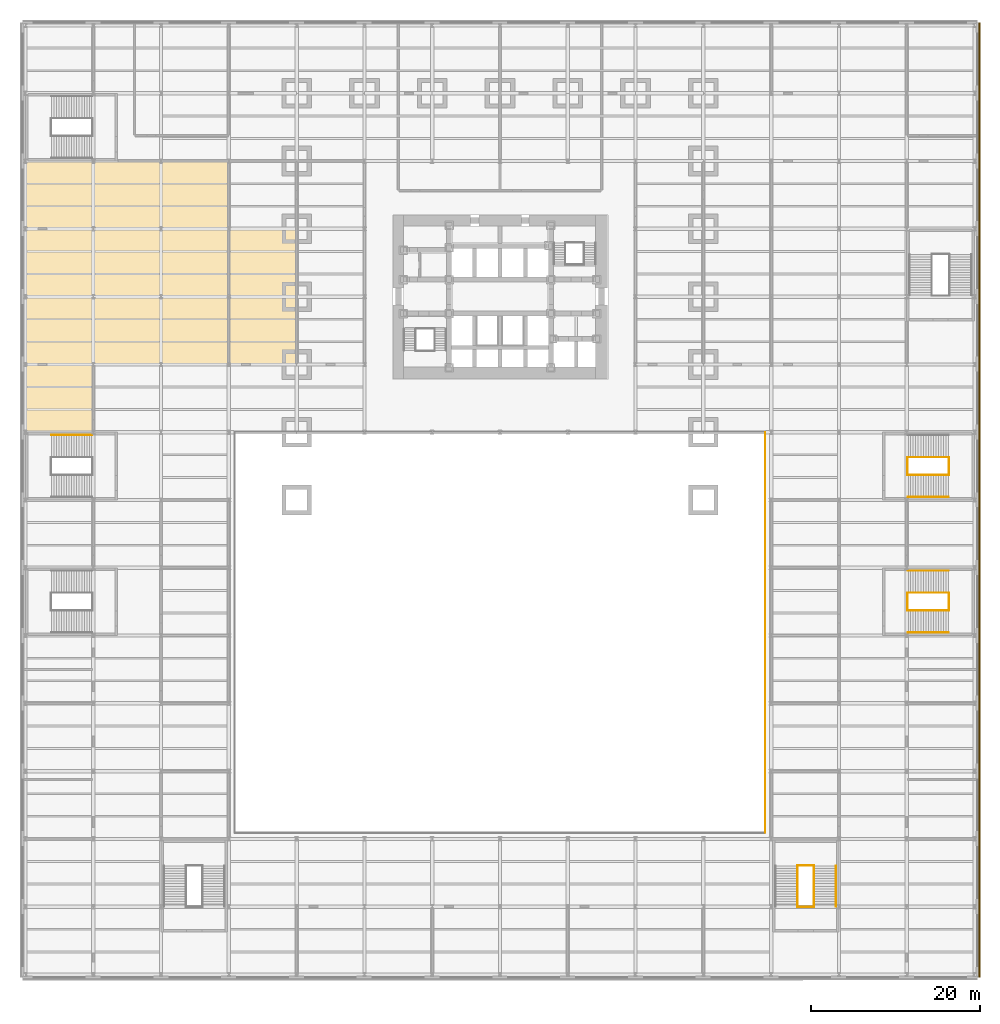
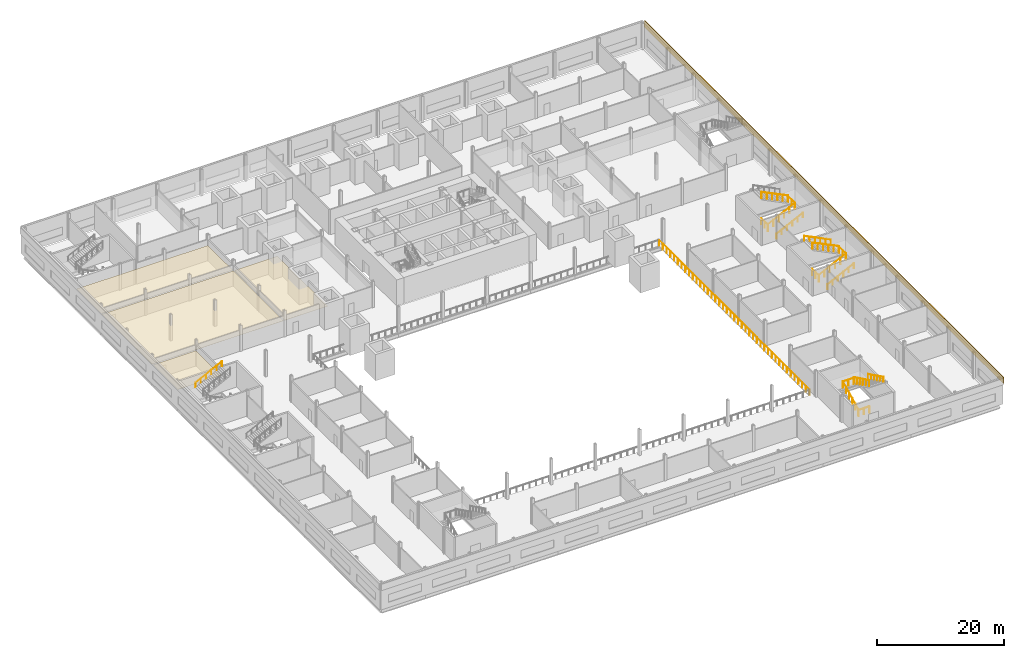
# One storey, part 16 of 18: 18 railings, 5 coverings.
"""IFC4 building model written with IfcOpenShell, lengths in metres."""

from ifc_helpers import new_model, si_unit, direction, frame, origin, origin_2d, place, context, subcontext, project, spatial, polyline, rectangle, circle, outline, extrude, material, layer, layer_set, type_object, element, save


model = new_model("IFC4")

# Units and contexts
model_context = context("Model", 3, precision=1e-05, world=origin(), true_north=direction((0.0, 1.0)))
body_context = subcontext(model_context, "Body", "Model", "MODEL_VIEW")
ifc_project = project(units=[si_unit("LENGTHUNIT", "METRE"), si_unit("AREAUNIT", "SQUARE_METRE"), si_unit("VOLUMEUNIT", "CUBIC_METRE"), si_unit("PLANEANGLEUNIT", "RADIAN"), si_unit("MASSUNIT", "GRAM", prefix="KILO")], contexts=[model_context])

# Site, building, storey
site_placement = place(None, origin())
site = spatial("IfcSite", under=ifc_project, at=site_placement, CompositionType="ELEMENT")
building_placement = place(site_placement, origin())
building = spatial("IfcBuilding", under=site, at=building_placement, Name="Daluyong Arena Tower", CompositionType="ELEMENT")
storey_placement = place(building_placement, frame((0.0, 0.0, 4.89990234375)))
storey = spatial("IfcBuildingStorey", under=building, at=storey_placement, Name="L01", CompositionType="ELEMENT", Elevation=4.89990234375)

# Railing
ifc_material_1 = material(Name="Steel guard with glass infill", Category="steel")
railing_type_1 = type_object("IfcRailingType", Name="Floor edge guard 1100", PredefinedType="GUARDRAIL", material=ifc_material_1)
railing_1_placement = place(storey_placement, frame((87.300048828125, 16.75, 0.0)))
element("IfcRailing", 1, at=railing_1_placement, inside=storey, type_object=railing_type_1, Name="floor edge guard L01", PredefinedType="GUARDRAIL", context=body_context, shape_type="SweptSolid", body=[
    extrude(circle(Radius=0.02392578125, at=origin_2d()), frame((0.0, 0.0, 1.076171875), z_axis=(0.0, 1.0, 0.0), x_axis=(-1.0, 0.0, 0.0)), (0.0, 0.0, 1.0), 47.25),
    extrude(circle(Radius=0.02099609375, at=origin_2d()), origin(), (0.0, 0.0, 1.0), 1.052001953125),
    extrude(circle(Radius=0.02099609375, at=origin_2d()), frame((0.0, 1.18115234375, 0.0)), (0.0, 0.0, 1.0), 1.052001953125),
    extrude(circle(Radius=0.02099609375, at=origin_2d()), frame((0.0, 2.362548828125, 0.0)), (0.0, 0.0, 1.0), 1.052001953125),
    extrude(circle(Radius=0.02099609375, at=origin_2d()), frame((0.0, 3.543701171875, 0.0)), (0.0, 0.0, 1.0), 1.052001953125),
    extrude(circle(Radius=0.02099609375, at=origin_2d()), frame((0.0, 4.72509765625, 0.0)), (0.0, 0.0, 1.0), 1.052001953125),
    extrude(circle(Radius=0.02099609375, at=origin_2d()), frame((0.0, 5.90625, 0.0)), (0.0, 0.0, 1.0), 1.052001953125),
    extrude(circle(Radius=0.02099609375, at=origin_2d()), frame((0.0, 7.08740234375, 0.0)), (0.0, 0.0, 1.0), 1.052001953125),
    extrude(circle(Radius=0.02099609375, at=origin_2d()), frame((0.0, 8.268798828125, 0.0)), (0.0, 0.0, 1.0), 1.052001953125),
    extrude(circle(Radius=0.02099609375, at=origin_2d()), frame((0.0, 9.449951171875, 0.0)), (0.0, 0.0, 1.0), 1.052001953125),
    extrude(circle(Radius=0.02099609375, at=origin_2d()), frame((0.0, 10.63134765625, 0.0)), (0.0, 0.0, 1.0), 1.052001953125),
    extrude(circle(Radius=0.02099609375, at=origin_2d()), frame((0.0, 11.8125, 0.0)), (0.0, 0.0, 1.0), 1.052001953125),
    extrude(circle(Radius=0.02099609375, at=origin_2d()), frame((0.0, 12.99365234375, 0.0)), (0.0, 0.0, 1.0), 1.052001953125),
    extrude(circle(Radius=0.02099609375, at=origin_2d()), frame((0.0, 14.175048828125, 0.0)), (0.0, 0.0, 1.0), 1.052001953125),
    extrude(circle(Radius=0.02099609375, at=origin_2d()), frame((0.0, 15.356201171875, 0.0)), (0.0, 0.0, 1.0), 1.052001953125),
    extrude(circle(Radius=0.02099609375, at=origin_2d()), frame((0.0, 16.53759765625, 0.0)), (0.0, 0.0, 1.0), 1.052001953125),
    extrude(circle(Radius=0.02099609375, at=origin_2d()), frame((0.0, 17.71875, 0.0)), (0.0, 0.0, 1.0), 1.052001953125),
    extrude(circle(Radius=0.02099609375, at=origin_2d()), frame((0.0, 18.89990234375, 0.0)), (0.0, 0.0, 1.0), 1.052001953125),
    extrude(circle(Radius=0.02099609375, at=origin_2d()), frame((0.0, 20.081298828125, 0.0)), (0.0, 0.0, 1.0), 1.052001953125),
    extrude(circle(Radius=0.02099609375, at=origin_2d()), frame((0.0, 21.262451171875, 0.0)), (0.0, 0.0, 1.0), 1.052001953125),
    extrude(circle(Radius=0.02099609375, at=origin_2d()), frame((0.0, 22.44384765625, 0.0)), (0.0, 0.0, 1.0), 1.052001953125),
    extrude(circle(Radius=0.02099609375, at=origin_2d()), frame((0.0, 23.625, 0.0)), (0.0, 0.0, 1.0), 1.052001953125),
    extrude(circle(Radius=0.02099609375, at=origin_2d()), frame((0.0, 24.80615234375, 0.0)), (0.0, 0.0, 1.0), 1.052001953125),
    extrude(circle(Radius=0.02099609375, at=origin_2d()), frame((0.0, 25.987548828125, 0.0)), (0.0, 0.0, 1.0), 1.052001953125),
    extrude(circle(Radius=0.02099609375, at=origin_2d()), frame((0.0, 27.168701171875, 0.0)), (0.0, 0.0, 1.0), 1.052001953125),
    extrude(circle(Radius=0.02099609375, at=origin_2d()), frame((0.0, 28.35009765625, 0.0)), (0.0, 0.0, 1.0), 1.052001953125),
    extrude(circle(Radius=0.02099609375, at=origin_2d()), frame((0.0, 29.53125, 0.0)), (0.0, 0.0, 1.0), 1.052001953125),
    extrude(circle(Radius=0.02099609375, at=origin_2d()), frame((0.0, 30.71240234375, 0.0)), (0.0, 0.0, 1.0), 1.052001953125),
    extrude(circle(Radius=0.02099609375, at=origin_2d()), frame((0.0, 31.893798828125, 0.0)), (0.0, 0.0, 1.0), 1.052001953125),
    extrude(circle(Radius=0.02099609375, at=origin_2d()), frame((0.0, 33.074951171875, 0.0)), (0.0, 0.0, 1.0), 1.052001953125),
    extrude(circle(Radius=0.02099609375, at=origin_2d()), frame((0.0, 34.25634765625, 0.0)), (0.0, 0.0, 1.0), 1.052001953125),
    extrude(circle(Radius=0.02099609375, at=origin_2d()), frame((0.0, 35.4375, 0.0)), (0.0, 0.0, 1.0), 1.052001953125),
    extrude(circle(Radius=0.02099609375, at=origin_2d()), frame((0.0, 36.61865234375, 0.0)), (0.0, 0.0, 1.0), 1.052001953125),
    extrude(circle(Radius=0.02099609375, at=origin_2d()), frame((0.0, 37.800048828125, 0.0)), (0.0, 0.0, 1.0), 1.052001953125),
    extrude(circle(Radius=0.02099609375, at=origin_2d()), frame((0.0, 38.981201171875, 0.0)), (0.0, 0.0, 1.0), 1.052001953125),
    extrude(circle(Radius=0.02099609375, at=origin_2d()), frame((0.0, 40.16259765625, 0.0)), (0.0, 0.0, 1.0), 1.052001953125),
    extrude(circle(Radius=0.02099609375, at=origin_2d()), frame((0.0, 41.34375, 0.0)), (0.0, 0.0, 1.0), 1.052001953125),
    extrude(circle(Radius=0.02099609375, at=origin_2d()), frame((0.0, 42.52490234375, 0.0)), (0.0, 0.0, 1.0), 1.052001953125),
    extrude(circle(Radius=0.02099609375, at=origin_2d()), frame((0.0, 43.706298828125, 0.0)), (0.0, 0.0, 1.0), 1.052001953125),
    extrude(circle(Radius=0.02099609375, at=origin_2d()), frame((0.0, 44.887451171875, 0.0)), (0.0, 0.0, 1.0), 1.052001953125),
    extrude(circle(Radius=0.02099609375, at=origin_2d()), frame((0.0, 46.06884765625, 0.0)), (0.0, 0.0, 1.0), 1.052001953125),
    extrude(circle(Radius=0.02099609375, at=origin_2d()), frame((0.0, 47.25, 0.0)), (0.0, 0.0, 1.0), 1.052001953125),
])

# Coverings
ifc_material_2 = material(Name="Mineral fibre ceiling tile", Category="gypsum board")
ifc_layer_1 = layer(ifc_material_2, 0.02001953125)
ifc_layer_set_1 = layer_set([ifc_layer_1], Name="Mineral fibre ceiling tile")
covering_type_1 = type_object("IfcCoveringType", Name="Office ceiling", PredefinedType="CEILING", material=ifc_layer_set_1)
covering_1_placement = place(storey_placement, frame((0.0, 0.0, 2.900146484375)))
element("IfcCovering", 2, at=covering_1_placement, inside=storey, type_object=covering_type_1, Name="ceiling L01-32", PredefinedType="CEILING", context=body_context, shape_type="SweptSolid", body=[
    extrude(outline(polyline([(7.89990234375, 64.10009765625), (7.89990234375, 71.89990234375), (0.10009765625, 71.89990234375), (0.10009765625, 64.10009765625), (7.89990234375, 64.10009765625)])), origin(), (0.0, 0.0, 1.0), 0.02001953125),
])
covering_2_placement = place(storey_placement, frame((0.0, 0.0, 2.900146484375)))
element("IfcCovering", 3, at=covering_2_placement, inside=storey, type_object=covering_type_1, Name="ceiling L01-33", PredefinedType="CEILING", context=body_context, shape_type="SweptSolid", body=[
    extrude(outline(polyline([(23.89990234375, 72.10009765625), (23.89990234375, 87.89990234375), (0.10009765625, 87.89990234375), (0.10009765625, 72.10009765625), (23.89990234375, 72.10009765625)])), origin(), (0.0, 0.0, 1.0), 0.02001953125),
])
covering_3_placement = place(storey_placement, frame((0.0, 0.0, 2.900146484375)))
element("IfcCovering", 4, at=covering_3_placement, inside=storey, type_object=covering_type_1, Name="ceiling L01-34", PredefinedType="CEILING", context=body_context, shape_type="SweptSolid", body=[
    extrude(outline(polyline([(23.89990234375, 88.10009765625), (23.89990234375, 95.89990234375), (0.10009765625, 95.89990234375), (0.10009765625, 88.10009765625), (23.89990234375, 88.10009765625)])), origin(), (0.0, 0.0, 1.0), 0.02001953125),
])
covering_4_placement = place(storey_placement, frame((0.0, 0.0, 2.900146484375)))
element("IfcCovering", 5, at=covering_4_placement, inside=storey, type_object=covering_type_1, Name="ceiling L01-35", PredefinedType="CEILING", context=body_context, shape_type="SweptSolid", body=[
    extrude(outline(polyline([(31.89990234375, 72.10009765625), (31.89990234375, 87.89990234375), (24.10009765625, 87.89990234375), (24.10009765625, 72.10009765625), (31.89990234375, 72.10009765625)])), origin(), (0.0, 0.0, 1.0), 0.02001953125),
])
ifc_material_3 = material(Name="Red-pigmented glass fibre reinforced concrete", Category="concrete")
ifc_layer_2 = layer(ifc_material_3, 0.14990234375)
ifc_layer_set_2 = layer_set([ifc_layer_2], Name="Red-pigmented glass fibre reinforced concrete")
covering_type_2 = type_object("IfcCoveringType", Name="Podium band cladding", PredefinedType="CLADDING", material=ifc_layer_set_2)
covering_5_placement = place(storey_placement, frame((112.574951171875, 56.0, 3.80029296875), z_axis=(0.0, 0.0, 1.0), x_axis=(0.0, 1.0, 0.0)))
element("IfcCovering", 6, at=covering_5_placement, inside=storey, type_object=covering_type_2, Name="podium band E L01", PredefinedType="CLADDING", context=body_context, shape_type="SweptSolid", body=[
    extrude(rectangle(XDim=112.699951171875, YDim=0.14990234375, at=origin_2d()), origin(), (0.0, 0.0, 1.0), 1.199951171875),
])

# Railings
ifc_material_4 = material(Name="Stainless steel handrail", Category="steel")
railing_type_2 = type_object("IfcRailingType", Name="Stair handrail", PredefinedType="HANDRAIL", material=ifc_material_4)
railing_2_placement = place(storey_placement, frame((95.64990234375, 12.81005859375, 2.647216796875)))
element("IfcRailing", 7, at=railing_2_placement, inside=storey, type_object=railing_type_2, Name="exit stair PS2 handrail L01", PredefinedType="HANDRAIL", context=body_context, shape_type="SweptSolid", body=[
    extrude(circle(Radius=0.02392578125, at=origin_2d()), frame((0.0, 0.0, 0.8759765625), z_axis=(0.0, -0.89793417156, 0.440129780343), x_axis=(1.0, 0.0, 0.0)), (0.0, 0.0, 1.0), 5.345703125),
    extrude(circle(Radius=0.02099609375, at=origin_2d()), origin(), (0.0, 0.0, 1.0), 0.851806640625),
    extrude(circle(Radius=0.02099609375, at=origin_2d()), frame((0.0, -0.9599609375, 0.470458984375)), (0.0, 0.0, 1.0), 0.851806640625),
    extrude(circle(Radius=0.02099609375, at=origin_2d()), frame((0.0, -1.919921875, 0.941162109375)), (0.0, 0.0, 1.0), 0.851806640625),
    extrude(circle(Radius=0.02099609375, at=origin_2d()), frame((0.0, -2.880126953125, 1.41162109375)), (0.0, 0.0, 1.0), 0.851806640625),
    extrude(circle(Radius=0.02099609375, at=origin_2d()), frame((0.0, -3.840087890625, 1.88232421875)), (0.0, 0.0, 1.0), 0.851806640625),
    extrude(circle(Radius=0.02099609375, at=origin_2d()), frame((0.0, -4.800048828125, 2.352783203125)), (0.0, 0.0, 1.0), 0.851806640625),
])
railing_3_placement = place(storey_placement, frame((104.159912109375, 40.35009765625, 0.147216796875)))
element("IfcRailing", 8, at=railing_3_placement, inside=storey, type_object=railing_type_2, Name="exit stair PS4 handrail L01", PredefinedType="HANDRAIL", context=body_context, shape_type="SweptSolid", body=[
    extrude(circle(Radius=0.02392578125, at=origin_2d()), frame((0.0, 0.0, 0.8759765625), z_axis=(0.89793417156, 0.0, 0.440129780343), x_axis=(0.0, 1.0, 0.0)), (0.0, 0.0, 1.0), 5.345703125),
    extrude(circle(Radius=0.02099609375, at=origin_2d()), origin(), (0.0, 0.0, 1.0), 0.851806640625),
    extrude(circle(Radius=0.02099609375, at=origin_2d()), frame((0.9599609375, 0.0, 0.470458984375)), (0.0, 0.0, 1.0), 0.851806640625),
    extrude(circle(Radius=0.02099609375, at=origin_2d()), frame((1.919921875, 0.0, 0.941162109375)), (0.0, 0.0, 1.0), 0.851806640625),
    extrude(circle(Radius=0.02099609375, at=origin_2d()), frame((2.880126953125, 0.0, 1.41162109375)), (0.0, 0.0, 1.0), 0.851806640625),
    extrude(circle(Radius=0.02099609375, at=origin_2d()), frame((3.840087890625, 0.0, 1.88232421875)), (0.0, 0.0, 1.0), 0.851806640625),
    extrude(circle(Radius=0.02099609375, at=origin_2d()), frame((4.800048828125, 0.0, 2.352783203125)), (0.0, 0.0, 1.0), 0.851806640625),
])
railing_4_placement = place(storey_placement, frame((108.9599609375, 47.64990234375, 2.647216796875)))
element("IfcRailing", 9, at=railing_4_placement, inside=storey, type_object=railing_type_2, Name="exit stair PS4 handrail L01", PredefinedType="HANDRAIL", context=body_context, shape_type="SweptSolid", body=[
    extrude(circle(Radius=0.02392578125, at=origin_2d()), frame((0.0, 0.0, 0.8759765625), z_axis=(-0.89793417156, 0.0, 0.440129780343), x_axis=(0.0, -1.0, 0.0)), (0.0, 0.0, 1.0), 5.345703125),
    extrude(circle(Radius=0.02099609375, at=origin_2d()), origin(), (0.0, 0.0, 1.0), 0.851806640625),
    extrude(circle(Radius=0.02099609375, at=origin_2d()), frame((-0.9599609375, 0.0, 0.470458984375)), (0.0, 0.0, 1.0), 0.851806640625),
    extrude(circle(Radius=0.02099609375, at=origin_2d()), frame((-1.919921875, 0.0, 0.941162109375)), (0.0, 0.0, 1.0), 0.851806640625),
    extrude(circle(Radius=0.02099609375, at=origin_2d()), frame((-2.880126953125, 0.0, 1.41162109375)), (0.0, 0.0, 1.0), 0.851806640625),
    extrude(circle(Radius=0.02099609375, at=origin_2d()), frame((-3.840087890625, 0.0, 1.88232421875)), (0.0, 0.0, 1.0), 0.851806640625),
    extrude(circle(Radius=0.02099609375, at=origin_2d()), frame((-4.800048828125, 0.0, 2.352783203125)), (0.0, 0.0, 1.0), 0.851806640625),
])
for number, where, name in (
    (10, (3.0400390625, 63.64990234375, 2.647216796875), "exit stair PS7 handrail L01"),
    (11, (104.159912109375, 56.35009765625, 0.147216796875), "exit stair PS8 handrail L01"),
):
    element("IfcRailing", number, at=place(storey_placement, frame(where)), inside=storey, type_object=railing_type_2, Name=name, PredefinedType="HANDRAIL", context=body_context, shape_type="SweptSolid", body=[
        extrude(circle(Radius=0.02392578125, at=origin_2d()), frame((0.0, 0.0, 0.8759765625), z_axis=(0.89793417156, 0.0, 0.440129780343), x_axis=(0.0, 1.0, 0.0)), (0.0, 0.0, 1.0), 5.345703125),
        extrude(circle(Radius=0.02099609375, at=origin_2d()), origin(), (0.0, 0.0, 1.0), 0.851806640625),
        extrude(circle(Radius=0.02099609375, at=origin_2d()), frame((0.9599609375, 0.0, 0.470458984375)), (0.0, 0.0, 1.0), 0.851806640625),
        extrude(circle(Radius=0.02099609375, at=origin_2d()), frame((1.919921875, 0.0, 0.941162109375)), (0.0, 0.0, 1.0), 0.851806640625),
        extrude(circle(Radius=0.02099609375, at=origin_2d()), frame((2.880126953125, 0.0, 1.41162109375)), (0.0, 0.0, 1.0), 0.851806640625),
        extrude(circle(Radius=0.02099609375, at=origin_2d()), frame((3.840087890625, 0.0, 1.88232421875)), (0.0, 0.0, 1.0), 0.851806640625),
        extrude(circle(Radius=0.02099609375, at=origin_2d()), frame((4.800048828125, 0.0, 2.352783203125)), (0.0, 0.0, 1.0), 0.851806640625),
    ])
ifc_material_5 = material(Name="Steel balustrade", Category="steel")
railing_type_3 = type_object("IfcRailingType", Name="Stair well guard 1200", PredefinedType="GUARDRAIL", material=ifc_material_5)
railing_5_placement = place(storey_placement, frame((91.10009765625, 8.010009765625, 0.147216796875)))
element("IfcRailing", 12, at=railing_5_placement, inside=storey, type_object=railing_type_3, Name="exit stair PS2 well guard L01", PredefinedType="GUARDRAIL", context=body_context, shape_type="SweptSolid", body=[
    extrude(circle(Radius=0.02392578125, at=origin_2d()), frame((0.0, 0.0, 1.17578125), z_axis=(0.0, 0.89793417156, 0.440129780343), x_axis=(-1.0, 0.0, 0.0)), (0.0, 0.0, 1.0), 5.345703125),
    extrude(circle(Radius=0.02099609375, at=origin_2d()), origin(), (0.0, 0.0, 1.0), 1.15185546875),
    extrude(circle(Radius=0.02099609375, at=origin_2d()), frame((0.0, 0.9599609375, 0.470458984375)), (0.0, 0.0, 1.0), 1.15185546875),
    extrude(circle(Radius=0.02099609375, at=origin_2d()), frame((0.0, 1.919921875, 0.941162109375)), (0.0, 0.0, 1.0), 1.15185546875),
    extrude(circle(Radius=0.02099609375, at=origin_2d()), frame((0.0, 2.880126953125, 1.41162109375)), (0.0, 0.0, 1.0), 1.15185546875),
    extrude(circle(Radius=0.02099609375, at=origin_2d()), frame((0.0, 3.840087890625, 1.88232421875)), (0.0, 0.0, 1.0), 1.15185546875),
    extrude(circle(Radius=0.02099609375, at=origin_2d()), frame((0.0, 4.800048828125, 2.352783203125)), (0.0, 0.0, 1.0), 1.15185546875),
])
railing_6_placement = place(storey_placement, frame((93.050048828125, 12.81005859375, 2.647216796875)))
element("IfcRailing", 13, at=railing_6_placement, inside=storey, type_object=railing_type_3, Name="exit stair PS2 well guard L01", PredefinedType="GUARDRAIL", context=body_context, shape_type="SweptSolid", body=[
    extrude(circle(Radius=0.02392578125, at=origin_2d()), frame((0.0, 0.0, 1.17578125), z_axis=(0.0, -0.89793417156, 0.440129780343), x_axis=(1.0, 0.0, 0.0)), (0.0, 0.0, 1.0), 5.345703125),
    extrude(circle(Radius=0.02099609375, at=origin_2d()), origin(), (0.0, 0.0, 1.0), 1.15185546875),
    extrude(circle(Radius=0.02099609375, at=origin_2d()), frame((0.0, -0.9599609375, 0.470458984375)), (0.0, 0.0, 1.0), 1.15185546875),
    extrude(circle(Radius=0.02099609375, at=origin_2d()), frame((0.0, -1.919921875, 0.941162109375)), (0.0, 0.0, 1.0), 1.15185546875),
    extrude(circle(Radius=0.02099609375, at=origin_2d()), frame((0.0, -2.880126953125, 1.41162109375)), (0.0, 0.0, 1.0), 1.15185546875),
    extrude(circle(Radius=0.02099609375, at=origin_2d()), frame((0.0, -3.840087890625, 1.88232421875)), (0.0, 0.0, 1.0), 1.15185546875),
    extrude(circle(Radius=0.02099609375, at=origin_2d()), frame((0.0, -4.800048828125, 2.352783203125)), (0.0, 0.0, 1.0), 1.15185546875),
])
for number, where, name in (
    (14, (91.10009765625, 12.860107421875, 2.5), "exit stair PS2 landing guard L01"),
    (15, (91.10009765625, 7.9599609375, 0.0), "exit stair PS2 floor landing guard L01"),
):
    element("IfcRailing", number, at=place(storey_placement, frame(where)), inside=storey, type_object=railing_type_3, Name=name, PredefinedType="GUARDRAIL", context=body_context, shape_type="SweptSolid", body=[
        extrude(circle(Radius=0.02392578125, at=origin_2d()), frame((0.0, 0.0, 1.17578125), z_axis=(1.0, 0.0, 0.0), x_axis=(0.0, 1.0, 0.0)), (0.0, 0.0, 1.0), 1.949951171875),
        extrude(circle(Radius=0.02099609375, at=origin_2d()), origin(), (0.0, 0.0, 1.0), 1.15185546875),
        extrude(circle(Radius=0.02099609375, at=origin_2d()), frame((0.97509765625, 0.0, 0.0)), (0.0, 0.0, 1.0), 1.15185546875),
        extrude(circle(Radius=0.02099609375, at=origin_2d()), frame((1.949951171875, 0.0, 0.0)), (0.0, 0.0, 1.0), 1.15185546875),
    ])
railing_7_placement = place(storey_placement, frame((104.159912109375, 42.949951171875, 0.147216796875)))
element("IfcRailing", 16, at=railing_7_placement, inside=storey, type_object=railing_type_3, Name="exit stair PS4 well guard L01", PredefinedType="GUARDRAIL", context=body_context, shape_type="SweptSolid", body=[
    extrude(circle(Radius=0.02392578125, at=origin_2d()), frame((0.0, 0.0, 1.17578125), z_axis=(0.89793417156, 0.0, 0.440129780343), x_axis=(0.0, 1.0, 0.0)), (0.0, 0.0, 1.0), 5.345703125),
    extrude(circle(Radius=0.02099609375, at=origin_2d()), origin(), (0.0, 0.0, 1.0), 1.15185546875),
    extrude(circle(Radius=0.02099609375, at=origin_2d()), frame((0.9599609375, 0.0, 0.470458984375)), (0.0, 0.0, 1.0), 1.15185546875),
    extrude(circle(Radius=0.02099609375, at=origin_2d()), frame((1.919921875, 0.0, 0.941162109375)), (0.0, 0.0, 1.0), 1.15185546875),
    extrude(circle(Radius=0.02099609375, at=origin_2d()), frame((2.880126953125, 0.0, 1.41162109375)), (0.0, 0.0, 1.0), 1.15185546875),
    extrude(circle(Radius=0.02099609375, at=origin_2d()), frame((3.840087890625, 0.0, 1.88232421875)), (0.0, 0.0, 1.0), 1.15185546875),
    extrude(circle(Radius=0.02099609375, at=origin_2d()), frame((4.800048828125, 0.0, 2.352783203125)), (0.0, 0.0, 1.0), 1.15185546875),
])
railing_8_placement = place(storey_placement, frame((108.9599609375, 45.050048828125, 2.647216796875)))
element("IfcRailing", 17, at=railing_8_placement, inside=storey, type_object=railing_type_3, Name="exit stair PS4 well guard L01", PredefinedType="GUARDRAIL", context=body_context, shape_type="SweptSolid", body=[
    extrude(circle(Radius=0.02392578125, at=origin_2d()), frame((0.0, 0.0, 1.17578125), z_axis=(-0.89793417156, 0.0, 0.440129780343), x_axis=(0.0, -1.0, 0.0)), (0.0, 0.0, 1.0), 5.345703125),
    extrude(circle(Radius=0.02099609375, at=origin_2d()), origin(), (0.0, 0.0, 1.0), 1.15185546875),
    extrude(circle(Radius=0.02099609375, at=origin_2d()), frame((-0.9599609375, 0.0, 0.470458984375)), (0.0, 0.0, 1.0), 1.15185546875),
    extrude(circle(Radius=0.02099609375, at=origin_2d()), frame((-1.919921875, 0.0, 0.941162109375)), (0.0, 0.0, 1.0), 1.15185546875),
    extrude(circle(Radius=0.02099609375, at=origin_2d()), frame((-2.880126953125, 0.0, 1.41162109375)), (0.0, 0.0, 1.0), 1.15185546875),
    extrude(circle(Radius=0.02099609375, at=origin_2d()), frame((-3.840087890625, 0.0, 1.88232421875)), (0.0, 0.0, 1.0), 1.15185546875),
    extrude(circle(Radius=0.02099609375, at=origin_2d()), frame((-4.800048828125, 0.0, 2.352783203125)), (0.0, 0.0, 1.0), 1.15185546875),
])
for number, where, name in (
    (18, (109.010009765625, 42.949951171875, 2.5), "exit stair PS4 landing guard L01"),
    (19, (104.110107421875, 42.949951171875, 0.0), "exit stair PS4 floor landing guard L01"),
):
    element("IfcRailing", number, at=place(storey_placement, frame(where)), inside=storey, type_object=railing_type_3, Name=name, PredefinedType="GUARDRAIL", context=body_context, shape_type="SweptSolid", body=[
        extrude(circle(Radius=0.02392578125, at=origin_2d()), frame((0.0, 0.0, 1.17578125), z_axis=(0.0, 1.0, 0.0), x_axis=(-1.0, 0.0, 0.0)), (0.0, 0.0, 1.0), 2.10009765625),
        extrude(circle(Radius=0.02099609375, at=origin_2d()), origin(), (0.0, 0.0, 1.0), 1.15185546875),
        extrude(circle(Radius=0.02099609375, at=origin_2d()), frame((0.0, 1.050048828125, 0.0)), (0.0, 0.0, 1.0), 1.15185546875),
        extrude(circle(Radius=0.02099609375, at=origin_2d()), frame((0.0, 2.10009765625, 0.0)), (0.0, 0.0, 1.0), 1.15185546875),
    ])
railing_9_placement = place(storey_placement, frame((104.159912109375, 58.949951171875, 0.147216796875)))
element("IfcRailing", 20, at=railing_9_placement, inside=storey, type_object=railing_type_3, Name="exit stair PS8 well guard L01", PredefinedType="GUARDRAIL", context=body_context, shape_type="SweptSolid", body=[
    extrude(circle(Radius=0.02392578125, at=origin_2d()), frame((0.0, 0.0, 1.17578125), z_axis=(0.89793417156, 0.0, 0.440129780343), x_axis=(0.0, 1.0, 0.0)), (0.0, 0.0, 1.0), 5.345703125),
    extrude(circle(Radius=0.02099609375, at=origin_2d()), origin(), (0.0, 0.0, 1.0), 1.15185546875),
    extrude(circle(Radius=0.02099609375, at=origin_2d()), frame((0.9599609375, 0.0, 0.470458984375)), (0.0, 0.0, 1.0), 1.15185546875),
    extrude(circle(Radius=0.02099609375, at=origin_2d()), frame((1.919921875, 0.0, 0.941162109375)), (0.0, 0.0, 1.0), 1.15185546875),
    extrude(circle(Radius=0.02099609375, at=origin_2d()), frame((2.880126953125, 0.0, 1.41162109375)), (0.0, 0.0, 1.0), 1.15185546875),
    extrude(circle(Radius=0.02099609375, at=origin_2d()), frame((3.840087890625, 0.0, 1.88232421875)), (0.0, 0.0, 1.0), 1.15185546875),
    extrude(circle(Radius=0.02099609375, at=origin_2d()), frame((4.800048828125, 0.0, 2.352783203125)), (0.0, 0.0, 1.0), 1.15185546875),
])
railing_10_placement = place(storey_placement, frame((108.9599609375, 61.050048828125, 2.647216796875)))
element("IfcRailing", 21, at=railing_10_placement, inside=storey, type_object=railing_type_3, Name="exit stair PS8 well guard L01", PredefinedType="GUARDRAIL", context=body_context, shape_type="SweptSolid", body=[
    extrude(circle(Radius=0.02392578125, at=origin_2d()), frame((0.0, 0.0, 1.17578125), z_axis=(-0.89793417156, 0.0, 0.440129780343), x_axis=(0.0, -1.0, 0.0)), (0.0, 0.0, 1.0), 5.345703125),
    extrude(circle(Radius=0.02099609375, at=origin_2d()), origin(), (0.0, 0.0, 1.0), 1.15185546875),
    extrude(circle(Radius=0.02099609375, at=origin_2d()), frame((-0.9599609375, 0.0, 0.470458984375)), (0.0, 0.0, 1.0), 1.15185546875),
    extrude(circle(Radius=0.02099609375, at=origin_2d()), frame((-1.919921875, 0.0, 0.941162109375)), (0.0, 0.0, 1.0), 1.15185546875),
    extrude(circle(Radius=0.02099609375, at=origin_2d()), frame((-2.880126953125, 0.0, 1.41162109375)), (0.0, 0.0, 1.0), 1.15185546875),
    extrude(circle(Radius=0.02099609375, at=origin_2d()), frame((-3.840087890625, 0.0, 1.88232421875)), (0.0, 0.0, 1.0), 1.15185546875),
    extrude(circle(Radius=0.02099609375, at=origin_2d()), frame((-4.800048828125, 0.0, 2.352783203125)), (0.0, 0.0, 1.0), 1.15185546875),
])
for number, where, name in (
    (22, (109.010009765625, 58.949951171875, 2.5), "exit stair PS8 landing guard L01"),
    (23, (104.110107421875, 58.949951171875, 0.0), "exit stair PS8 floor landing guard L01"),
):
    element("IfcRailing", number, at=place(storey_placement, frame(where)), inside=storey, type_object=railing_type_3, Name=name, PredefinedType="GUARDRAIL", context=body_context, shape_type="SweptSolid", body=[
        extrude(circle(Radius=0.02392578125, at=origin_2d()), frame((0.0, 0.0, 1.17578125), z_axis=(0.0, 1.0, 0.0), x_axis=(-1.0, 0.0, 0.0)), (0.0, 0.0, 1.0), 2.10009765625),
        extrude(circle(Radius=0.02099609375, at=origin_2d()), origin(), (0.0, 0.0, 1.0), 1.15185546875),
        extrude(circle(Radius=0.02099609375, at=origin_2d()), frame((0.0, 1.050048828125, 0.0)), (0.0, 0.0, 1.0), 1.15185546875),
        extrude(circle(Radius=0.02099609375, at=origin_2d()), frame((0.0, 2.10009765625, 0.0)), (0.0, 0.0, 1.0), 1.15185546875),
    ])

save(model, "model.ifc")
